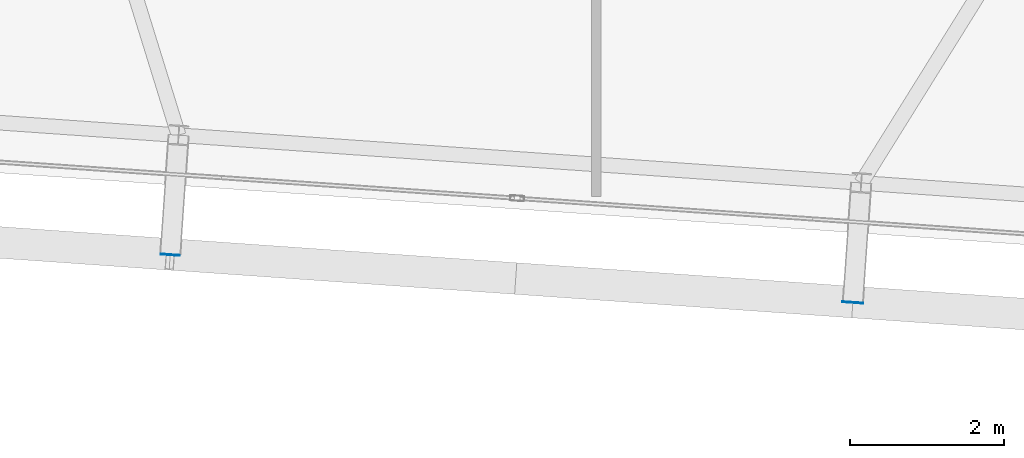
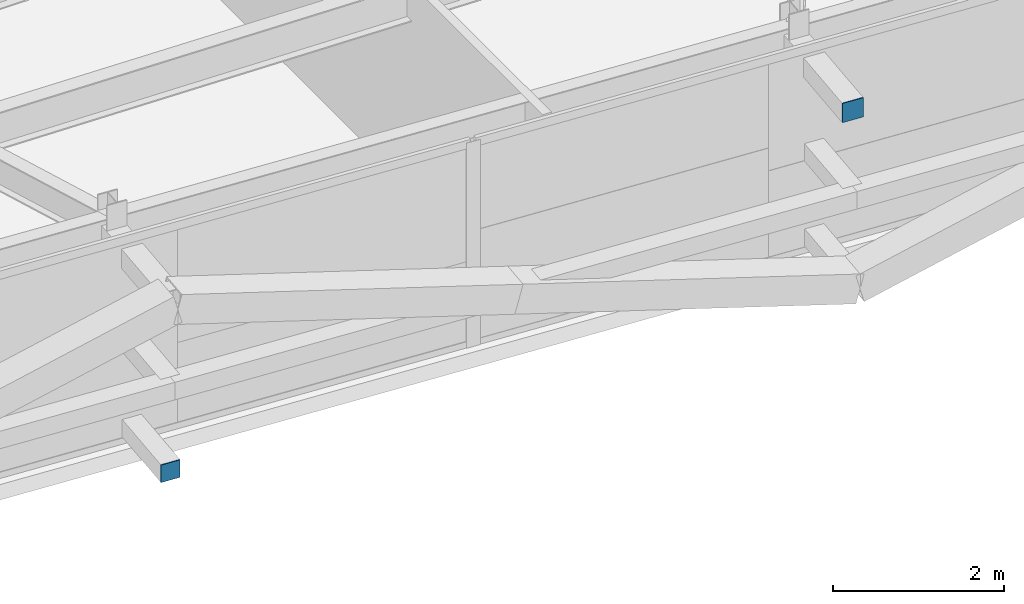
# One storey, part 28 of 39: 2 plates.
"""IFC4 building model written with IfcOpenShell, lengths in metres."""

import ifcopenshell
import ifcopenshell.guid

model = None  # the IFC model being written
_history = None  # IfcOwnerHistory: only IFC2X3 demands one
_inside = {}  # id of a spatial element -> (the spatial element, [elements in it])
_under = {}  # id of a project, library or spatial element -> (it, [spatial elements below it])
_declared = {}  # id of a project -> (the project, [libraries it declares])
_typed = {}  # id of a type object -> (the type object, [elements of that type])
_made_of = {}  # id of a material, layer set ... -> (it, [elements and type objects made of it])


def new_model(schema):
    """Start an empty IFC model of exactly this schema.

    Asked for "IFC4X3", IfcOpenShell would pick the latest addendum, in which some entities
    have other attributes; the version numbers below select the first issue.
    IFC2X3 requires an IfcOwnerHistory on every rooted entity: one is made here for all.
    """
    global model, _history
    if schema == "IFC4X3":
        model = ifcopenshell.file(schema_version=(4, 3, 0, 0))
    else:
        model = ifcopenshell.file(schema=schema)
    _inside.clear()
    _under.clear()
    _declared.clear()
    _typed.clear()
    _made_of.clear()
    _history = None
    if model.schema == "IFC2X3":
        org = make("IfcOrganization", Name="unknown")
        user = make(
            "IfcPersonAndOrganization",
            ThePerson=make("IfcPerson", FamilyName="unknown"),
            TheOrganization=org,
        )
        app = make(
            "IfcApplication",
            ApplicationDeveloper=org,
            Version="unknown",
            ApplicationFullName="unknown",
            ApplicationIdentifier="unknown",
        )
        _history = make(
            "IfcOwnerHistory",
            OwningUser=user,
            OwningApplication=app,
            ChangeAction="ADDED",
            CreationDate=0,
        )
    return model


def make(cls, **values):
    """One entity of the class cls with the attributes given. An attribute that is None is left unset."""
    return model.create_entity(
        cls, **{name: value for name, value in values.items() if value is not None}
    )


def rooted(cls, **values):
    """An entity with a GlobalId (a new one), such as an element, a storey or a relation."""
    return make(cls, GlobalId=ifcopenshell.guid.new(), OwnerHistory=_history, **values)


def si_unit(unit_type, name, prefix=None):
    """IfcSIUnit, for example si_unit("LENGTHUNIT", "METRE", prefix="MILLI")."""
    return make("IfcSIUnit", UnitType=unit_type, Prefix=prefix, Name=name)


def assignment(units):
    """IfcUnitAssignment: the units of a project."""
    return None if units is None else make("IfcUnitAssignment", Units=units)


def point(xyz):
    """IfcCartesianPoint."""
    return None if xyz is None else make("IfcCartesianPoint", Coordinates=xyz)


def direction(xyz):
    """IfcDirection."""
    return None if xyz is None else make("IfcDirection", DirectionRatios=xyz)


def frame(location, z_axis=None, x_axis=None):
    """IfcAxis2Placement3D, a coordinate frame: its origin and axes. An axis left out is left unset."""
    return make(
        "IfcAxis2Placement3D",
        Location=point(location),
        Axis=direction(z_axis),
        RefDirection=direction(x_axis),
    )


def frame_2d(location, x_axis=None):
    """IfcAxis2Placement2D, a coordinate frame in the plane: its origin and x axis."""
    return make(
        "IfcAxis2Placement2D", Location=point(location), RefDirection=direction(x_axis)
    )


def origin():
    """The frame at (0, 0, 0) with its axes left unset."""
    return frame((0.0, 0.0, 0.0))


def origin_2d():
    """The frame at (0, 0) in the plane with its x axis left unset."""
    return frame_2d((0.0, 0.0))


def place(relative_to, where):
    """IfcLocalPlacement: puts the frame where relative to a parent placement (None: the world)."""
    return make(
        "IfcLocalPlacement", PlacementRelTo=relative_to, RelativePlacement=where
    )


def context(
    kind, dimensions, precision=None, world=None, true_north=None, identifier=None
):
    """IfcGeometricRepresentationContext, for example the 3D "Model" context."""
    return make(
        "IfcGeometricRepresentationContext",
        ContextIdentifier=identifier,
        ContextType=kind,
        CoordinateSpaceDimension=dimensions,
        Precision=precision,
        WorldCoordinateSystem=world,
        TrueNorth=true_north,
    )


def subcontext(parent, identifier, kind, view, scale=None):
    """IfcGeometricRepresentationSubContext, for example "Body" below "Model"."""
    return make(
        "IfcGeometricRepresentationSubContext",
        ContextIdentifier=identifier,
        ContextType=kind,
        ParentContext=parent,
        TargetScale=scale,
        TargetView=view,
    )


def project(units=None, contexts=None):
    """IfcProject with its units and contexts."""
    return rooted(
        "IfcProject",
        Name="project",
        RepresentationContexts=contexts,
        UnitsInContext=assignment(units),
    )


def spatial(cls, under=None, at=None, **own):
    """A site, building, storey or space (cls), placed at a placement, below another one or the project."""
    s = rooted(cls, ObjectPlacement=at, **own)
    if under is not None:
        _under.setdefault(under.id(), (under, []))[1].append(s)
    return s


def profile(cls, at=None, kind="AREA", **sizes):
    """A parametric profile (cls). Its sizes go by their IFC names, for example OverallWidth=200.0."""
    return make(cls, ProfileType=kind, Position=at, **sizes)


def rectangle(**sizes):
    """IfcRectangleProfileDef."""
    return profile("IfcRectangleProfileDef", **sizes)


def extrude(swept, where, along, depth):
    """IfcExtrudedAreaSolid: the profile swept, set in the frame where, extruded along a direction by depth."""
    return make(
        "IfcExtrudedAreaSolid",
        SweptArea=swept,
        Position=where,
        ExtrudedDirection=direction(along),
        Depth=depth,
    )


def shape(context_of_items, identifier, shape_type, items):
    """IfcShapeRepresentation: the items that make up one representation, for example the "Body"."""
    return make(
        "IfcShapeRepresentation",
        ContextOfItems=context_of_items,
        RepresentationIdentifier=identifier,
        RepresentationType=shape_type,
        Items=items,
    )


def source(mapping_origin, context_of_items, identifier, shape_type, items):
    """IfcRepresentationMap: a shape defined once, which mapped items show again and again."""
    return make(
        "IfcRepresentationMap",
        MappingOrigin=mapping_origin,
        MappedRepresentation=shape(context_of_items, identifier, shape_type, items),
    )


def transform(
    local_origin,
    x_axis=None,
    y_axis=None,
    z_axis=None,
    scale=None,
    scale2=None,
    scale3=None,
    uniform=True,
):
    """IfcCartesianTransformationOperator3D, or its non-uniform kind. x_axis, y_axis, z_axis: its Axis1, 2, 3."""
    if uniform:
        return make(
            "IfcCartesianTransformationOperator3D",
            Axis1=direction(x_axis),
            Axis2=direction(y_axis),
            LocalOrigin=point(local_origin),
            Scale=scale,
            Axis3=direction(z_axis),
        )
    return make(
        "IfcCartesianTransformationOperator3DnonUniform",
        Axis1=direction(x_axis),
        Axis2=direction(y_axis),
        LocalOrigin=point(local_origin),
        Scale=scale,
        Axis3=direction(z_axis),
        Scale2=scale2,
        Scale3=scale3,
    )


def mapped(mapping_source, mapping_target):
    """IfcMappedItem: shows the shape of a source again, moved by a transform."""
    return make(
        "IfcMappedItem", MappingSource=mapping_source, MappingTarget=mapping_target
    )


def material(Name=None, Category=None):
    """IfcMaterial."""
    return make("IfcMaterial", Name=Name, Category=Category)


def layer(
    of_material, thickness, ventilated=None, Name=None, Category=None, Priority=None
):
    """IfcMaterialLayer: one layer of a wall or slab, of a material (None: an air gap)."""
    return make(
        "IfcMaterialLayer",
        Material=of_material,
        LayerThickness=thickness,
        IsVentilated=ventilated,
        Name=Name,
        Category=Category,
        Priority=Priority,
    )


def layer_set(layers, Name=None):
    """IfcMaterialLayerSet."""
    return make("IfcMaterialLayerSet", MaterialLayers=layers, LayerSetName=Name)


def made_of(thing, what):
    """Note that an element or type object is made of a material, layer set ...; save() writes the relation."""
    if what is not None:
        _made_of.setdefault(what.id(), (what, []))[1].append(thing)
    return thing


def type_object(cls, material=None, **own):
    """A type object (cls), such as IfcWallType, which elements share."""
    return made_of(rooted(cls, **own), material)


def element(
    cls,
    number,
    at=None,
    inside=None,
    cuts=None,
    type_object=None,
    material=None,
    context=None,
    identifier="Body",
    shape_type=None,
    held_by="IfcProductDefinitionShape",
    body=None,
    shapes=None,
    **own,
):
    """One element of the class cls, such as IfcWall. Its Tag is "e" and its number.

    at: its placement. inside: the storey or other place that contains it. cuts: it is an
    opening in that element (IfcRelVoidsElement). A single representation is given by context,
    identifier, shape_type and body (its items); several are given by shapes. held_by: the class
    of the entity that holds the representations. save() writes the other relations.
    """
    e = rooted(cls, Tag="e%d" % number, ObjectPlacement=at, **own)
    if body is not None:
        shapes = [shape(context, identifier, shape_type, body)]
    if shapes is not None:
        e.Representation = make(held_by, Representations=shapes)
    if inside is not None:
        _inside.setdefault(inside.id(), (inside, []))[1].append(e)
    if cuts is not None:
        rooted(
            "IfcRelVoidsElement", RelatingBuildingElement=cuts, RelatedOpeningElement=e
        )
    if type_object is not None:
        _typed.setdefault(type_object.id(), (type_object, []))[1].append(e)
    return made_of(e, material)


def aggregate(whole, parts):
    """IfcRelAggregates: a whole, such as a stair, and the parts it consists of."""
    return rooted("IfcRelAggregates", RelatingObject=whole, RelatedObjects=parts)


def save(model, path):
    """Write the relations noted so far, then the file.

    IfcRelAggregates (storeys below a building ...), IfcRelContainedInSpatialStructure (elements
    in a storey), IfcRelDefinesByType, IfcRelAssociatesMaterial and IfcRelDeclares: one each for
    every whole, place, type object, material and project.
    """
    for whole, parts in _under.values():
        aggregate(whole, parts)
    for where, things in _inside.values():
        rooted(
            "IfcRelContainedInSpatialStructure",
            RelatedElements=things,
            RelatingStructure=where,
        )
    for kind, things in _typed.values():
        rooted("IfcRelDefinesByType", RelatedObjects=things, RelatingType=kind)
    for what, things in _made_of.values():
        rooted("IfcRelAssociatesMaterial", RelatedObjects=things, RelatingMaterial=what)
    for by, libraries in _declared.values():
        rooted("IfcRelDeclares", RelatingContext=by, RelatedDefinitions=libraries)
    model.write(path)


model = new_model("IFC4")

# Units and contexts
model_context = context("Model", 3, precision=1e-05, world=origin(), true_north=direction((0.0, 1.0)))
body_context = subcontext(model_context, "Body", "Model", "MODEL_VIEW")
ifc_project = project(units=[si_unit("LENGTHUNIT", "METRE"), si_unit("AREAUNIT", "SQUARE_METRE"), si_unit("VOLUMEUNIT", "CUBIC_METRE"), si_unit("PLANEANGLEUNIT", "RADIAN"), si_unit("MASSUNIT", "GRAM", prefix="KILO")], contexts=[model_context])

# Site, building, storey
site_placement = place(None, origin())
site = spatial("IfcSite", under=ifc_project, at=site_placement, CompositionType="ELEMENT")
building_placement = place(site_placement, origin())
building = spatial("IfcBuilding", under=site, at=building_placement, Name="Taldren Reach Tower", CompositionType="ELEMENT")
storey_placement = place(building_placement, frame((0.0, 0.0, 148.75)))
storey = spatial("IfcBuildingStorey", under=building, at=storey_placement, Name="L45", CompositionType="ELEMENT", Elevation=148.75)

# Plates
ifc_material_1 = material(Name="Steel Gr 450 (C450L0)", Category="steel")
ifc_layer_1 = layer(ifc_material_1, 0.011962890625)
ifc_layer_set_1 = layer_set([ifc_layer_1], Name="Steel Gr 450 (C450L0)")
plate_type_1 = type_object("IfcPlateType", Name="PL-CAP-275", PredefinedType="SHEET", material=ifc_layer_set_1)
shared_shape_1 = source(origin(), body_context, "Body", "SweptSolid", [
    extrude(rectangle(XDim=0.27490234375, YDim=0.011962890625, at=origin_2d()), origin(), (0.0, 0.0, 1.0), 0.27490234375),
])
plate_1_placement = place(storey_placement, frame((38.330078125, 1.927978515625, 2.512451171875), z_axis=(0.0, 0.0, 1.0), x_axis=(0.99756405026, -0.069756473744, 0.0)))
element("IfcPlate", 1, at=plate_1_placement, inside=storey, type_object=plate_type_1, Name="Tie strut end cap plate B3-S4 L45", PredefinedType="SHEET", context=body_context, shape_type="MappedRepresentation", body=[
    mapped(shared_shape_1, transform((0.0, 0.0, 0.0), scale=1.0)),
])
ifc_material_2 = material(Name="Steel Gr 350 (C350L0)", Category="steel")
ifc_layer_2 = layer(ifc_material_2, 0.011962890625)
ifc_layer_set_2 = layer_set([ifc_layer_2], Name="Steel Gr 350 (C350L0)")
plate_type_2 = type_object("IfcPlateType", Name="PL-CAP-250", PredefinedType="SHEET", material=ifc_layer_set_2)
shared_shape_2 = source(origin(), body_context, "Body", "SweptSolid", [
    extrude(rectangle(XDim=0.25, YDim=0.011962890625, at=origin_2d()), origin(), (0.0, 0.0, 1.0), 0.25),
])
plate_2_placement = place(storey_placement, frame((29.4716796875, 2.54736328125, 0.094970703125), z_axis=(0.0, 0.0, 1.0), x_axis=(0.99756405026, -0.069756473744, 0.0)))
element("IfcPlate", 2, at=plate_2_placement, inside=storey, type_object=plate_type_2, Name="Tie strut end cap plate B3-S3 L45", PredefinedType="SHEET", context=body_context, shape_type="MappedRepresentation", body=[
    mapped(shared_shape_2, transform((0.0, 0.0, 0.0), scale=1.0)),
])

save(model, "model.ifc")
